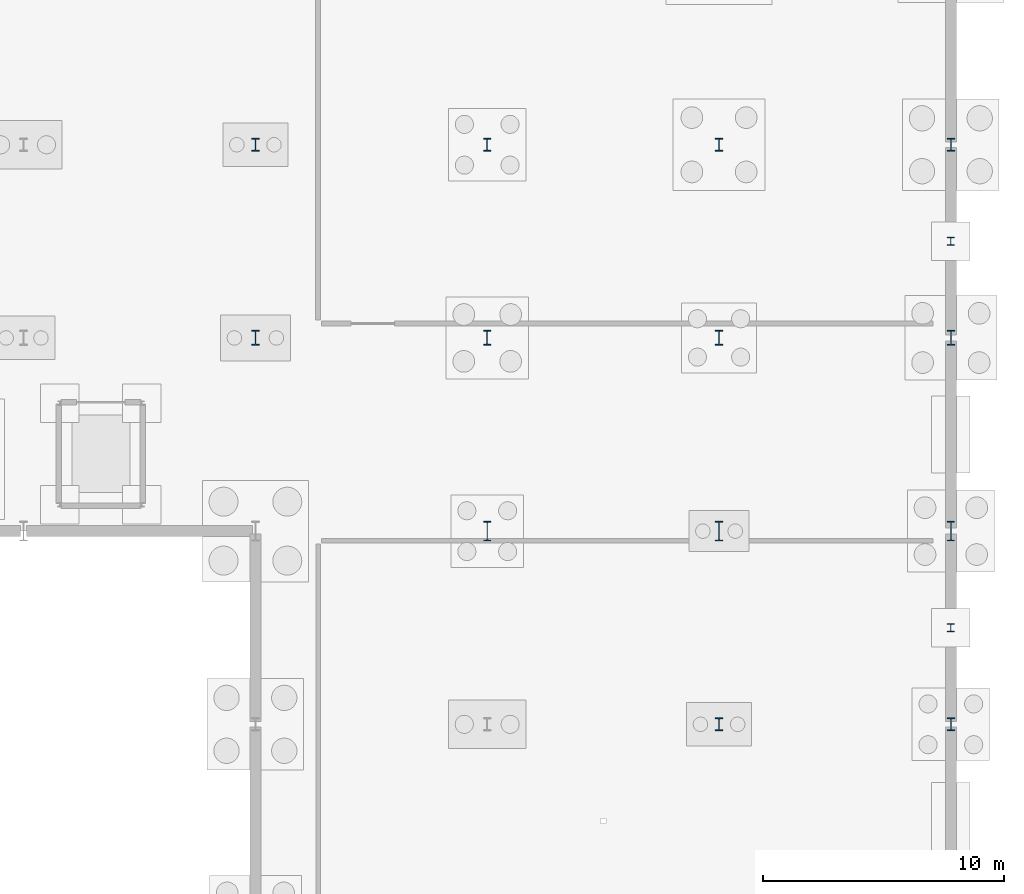
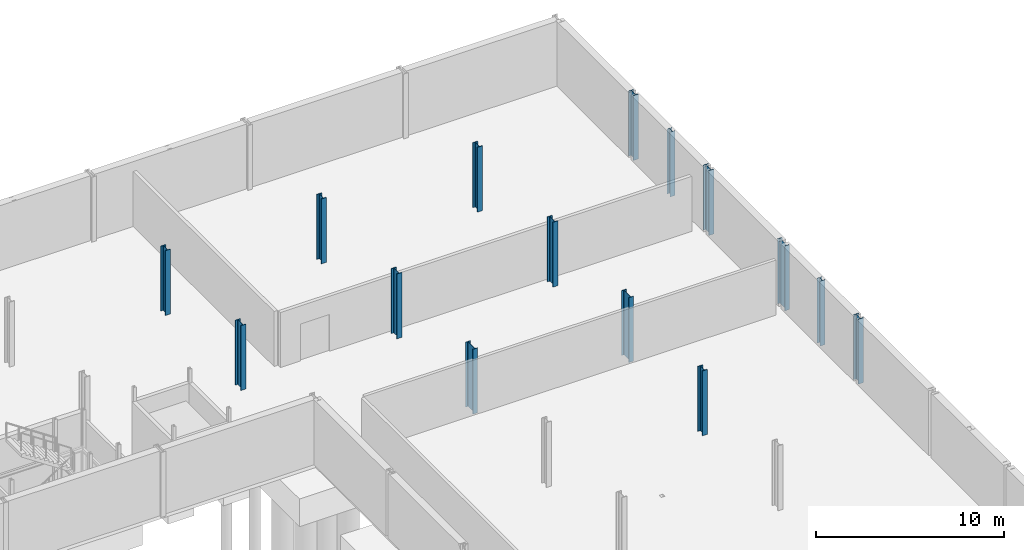
# One storey, part 31 of 47: 15 columns.
"""IFC4 building model written with IfcOpenShell, lengths in metres."""

from ifc_helpers import new_model, si_unit, direction, frame, origin, origin_2d, place, context, subcontext, project, spatial, i_section, extrude, material, material_profile, profile_set, type_object, element, save


model = new_model("IFC4")

# Units and contexts
model_context = context("Model", 3, precision=1e-05, world=origin(), true_north=direction((0.0, 1.0)))
body_context = subcontext(model_context, "Body", "Model", "MODEL_VIEW")
ifc_project = project(units=[si_unit("LENGTHUNIT", "METRE"), si_unit("AREAUNIT", "SQUARE_METRE"), si_unit("VOLUMEUNIT", "CUBIC_METRE"), si_unit("PLANEANGLEUNIT", "RADIAN"), si_unit("MASSUNIT", "GRAM", prefix="KILO")], contexts=[model_context])

# Site, building, storey
site_placement = place(None, origin())
site = spatial("IfcSite", under=ifc_project, at=site_placement, CompositionType="ELEMENT")
building_placement = place(site_placement, origin())
building = spatial("IfcBuilding", under=site, at=building_placement, Name="Alderhovde Museum", CompositionType="ELEMENT")
storey_placement = place(building_placement, frame((0.0, 0.0, -4.5)))
storey = spatial("IfcBuildingStorey", under=building, at=storey_placement, Name="B1", CompositionType="ELEMENT", Elevation=-4.5)

# Columns
ifc_material_1 = material(Name="Steel S355J2", Category="steel")
ifc_material_profile_1 = material_profile(ifc_material_1, i_section(OverallWidth=0.300048828125, OverallDepth=0.800048828125, WebThickness=0.017578125, FlangeThickness=0.032958984375, FilletRadius=0.030029296875, at=origin_2d()), Name="HEB 800")
ifc_profile_set_1 = profile_set([ifc_material_profile_1], Name="Steel S355J2")
column_type_1 = type_object("IfcColumnType", Name="COL-HEB800", PredefinedType="COLUMN", material=ifc_profile_set_1)
for number, where, z_axis, x_axis, name in (
    (1, (153.60009765625, 72.0, 0.0), (0.0, 0.0, 1.0), (1.0, 0.0, 0.0), "B1 Column (153.6, 72.0)"),
    (2, (163.199951171875, 72.0, 0.0), (0.0, 0.0, 1.0), (1.0, 0.0, 0.0), "B1 Column (163.2, 72.0)"),
    (3, (172.800048828125, 72.0, 0.0), (0.0, 0.0, 1.0), (1.0, 0.0, 0.0), "B1 Column (172.8, 72.0)"),
):
    element("IfcColumn", number, at=place(storey_placement, frame(where, z_axis=z_axis, x_axis=x_axis)), inside=storey, type_object=column_type_1, Name=name, PredefinedType="COLUMN", context=body_context, shape_type="SweptSolid", body=[
        extrude(i_section(OverallWidth=0.300048828125, OverallDepth=0.800048828125, WebThickness=0.017578125, FlangeThickness=0.032958984375, FilletRadius=0.030029296875, at=origin_2d()), origin(), (0.0, 0.0, 1.0), 4.219970703125),
    ])
ifc_material_2 = material(Name="Steel S355J2", Category="steel")
ifc_material_profile_2 = material_profile(ifc_material_2, i_section(OverallWidth=0.305908203125, OverallDepth=0.52392578125, WebThickness=0.02099609375, FlangeThickness=0.0400390625, FilletRadius=0.027099609375, at=origin_2d()), Name="HEM 500")
ifc_profile_set_2 = profile_set([ifc_material_profile_2], Name="Steel S355J2")
column_type_2 = type_object("IfcColumnType", Name="COL-HEM500", PredefinedType="COLUMN", material=ifc_profile_set_2)
for number, where, z_axis, x_axis, name in (
    (4, (144.0, 88.0, 0.0), (0.0, 0.0, 1.0), (1.0, 0.0, 0.0), "B1 Column (144.0, 88.0)"),
    (5, (153.60009765625, 88.0, 0.0), (0.0, 0.0, 1.0), (1.0, 0.0, 0.0), "B1 Column (153.6, 88.0)"),
    (6, (163.199951171875, 64.0, 0.0), (0.0, 0.0, 1.0), (1.0, 0.0, 0.0), "B1 Column (163.2, 64.0)"),
    (7, (163.199951171875, 88.0, 0.0), (0.0, 0.0, 1.0), (1.0, 0.0, 0.0), "B1 Column (163.2, 88.0)"),
    (8, (172.800048828125, 64.0, 0.0), (0.0, 0.0, 1.0), (1.0, 0.0, 0.0), "B1 Column (172.8, 64.0)"),
    (9, (172.800048828125, 88.0, 0.0), (0.0, 0.0, 1.0), (1.0, 0.0, 0.0), "B1 Column (172.8, 88.0)"),
):
    element("IfcColumn", number, at=place(storey_placement, frame(where, z_axis=z_axis, x_axis=x_axis)), inside=storey, type_object=column_type_2, Name=name, PredefinedType="COLUMN", context=body_context, shape_type="SweptSolid", body=[
        extrude(i_section(OverallWidth=0.305908203125, OverallDepth=0.52392578125, WebThickness=0.02099609375, FlangeThickness=0.0400390625, FilletRadius=0.027099609375, at=origin_2d()), origin(), (0.0, 0.0, 1.0), 4.219970703125),
    ])
ifc_material_3 = material(Name="Steel S355J2", Category="steel")
ifc_material_profile_3 = material_profile(ifc_material_3, i_section(OverallWidth=0.304931640625, OverallDepth=0.6201171875, WebThickness=0.02099609375, FlangeThickness=0.0400390625, FilletRadius=0.027099609375, at=origin_2d()), Name="HEM 600")
ifc_profile_set_3 = profile_set([ifc_material_profile_3], Name="Steel S355J2")
column_type_3 = type_object("IfcColumnType", Name="COL-HEM600", PredefinedType="COLUMN", material=ifc_profile_set_3)
for number, where, z_axis, x_axis, name in (
    (10, (144.0, 80.0, 0.0), (0.0, 0.0, 1.0), (1.0, 0.0, 0.0), "B1 Column (144.0, 80.0)"),
    (11, (153.60009765625, 80.0, 0.0), (0.0, 0.0, 1.0), (1.0, 0.0, 0.0), "B1 Column (153.6, 80.0)"),
    (12, (163.199951171875, 80.0, 0.0), (0.0, 0.0, 1.0), (1.0, 0.0, 0.0), "B1 Column (163.2, 80.0)"),
    (13, (172.800048828125, 80.0, 0.0), (0.0, 0.0, 1.0), (1.0, 0.0, 0.0), "B1 Column (172.8, 80.0)"),
):
    element("IfcColumn", number, at=place(storey_placement, frame(where, z_axis=z_axis, x_axis=x_axis)), inside=storey, type_object=column_type_3, Name=name, PredefinedType="COLUMN", context=body_context, shape_type="SweptSolid", body=[
        extrude(i_section(OverallWidth=0.304931640625, OverallDepth=0.6201171875, WebThickness=0.02099609375, FlangeThickness=0.0400390625, FilletRadius=0.027099609375, at=origin_2d()), origin(), (0.0, 0.0, 1.0), 4.219970703125),
    ])
ifc_material_4 = material(Name="Steel S355J2", Category="steel")
ifc_material_profile_4 = material_profile(ifc_material_4, i_section(OverallWidth=0.300048828125, OverallDepth=0.330078125, WebThickness=0.009521484375, FlangeThickness=0.0166015625, FilletRadius=0.027099609375, at=origin_2d()), Name="HEA 340")
ifc_profile_set_4 = profile_set([ifc_material_profile_4], Name="Steel S355J2")
column_type_4 = type_object("IfcColumnType", Name="PIL-HEA340", PredefinedType="PILASTER", material=ifc_profile_set_4)
for number, where, z_axis, x_axis, name in (
    (14, (172.800048828125, 68.0, 0.0), (0.0, 0.0, 1.0), (1.0, 0.0, 0.0), "B1 Structural Pilaster (172.8, 68.0)"),
    (15, (172.800048828125, 84.0, 0.0), (0.0, 0.0, 1.0), (1.0, 0.0, 0.0), "B1 Structural Pilaster (172.8, 84.0)"),
):
    element("IfcColumn", number, at=place(storey_placement, frame(where, z_axis=z_axis, x_axis=x_axis)), inside=storey, type_object=column_type_4, Name=name, PredefinedType="PILASTER", context=body_context, shape_type="SweptSolid", body=[
        extrude(i_section(OverallWidth=0.300048828125, OverallDepth=0.330078125, WebThickness=0.009521484375, FlangeThickness=0.0166015625, FilletRadius=0.027099609375, at=origin_2d()), origin(), (0.0, 0.0, 1.0), 4.219970703125),
    ])

save(model, "model.ifc")
